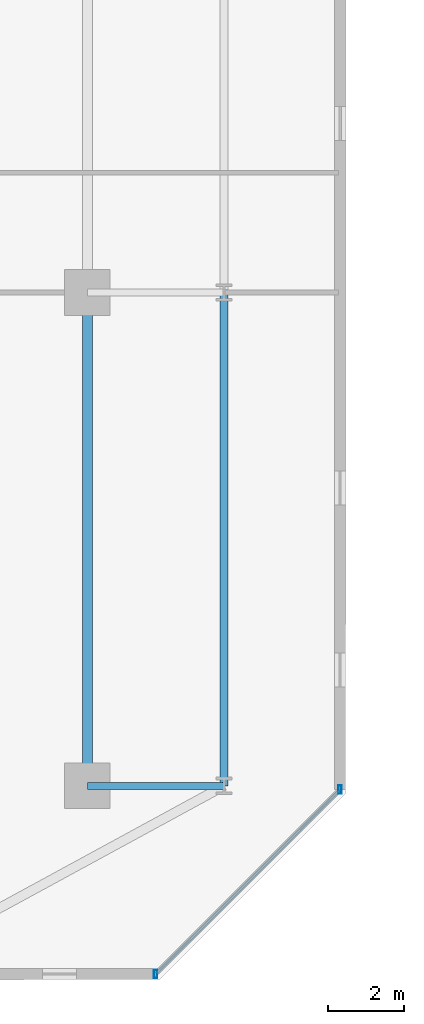
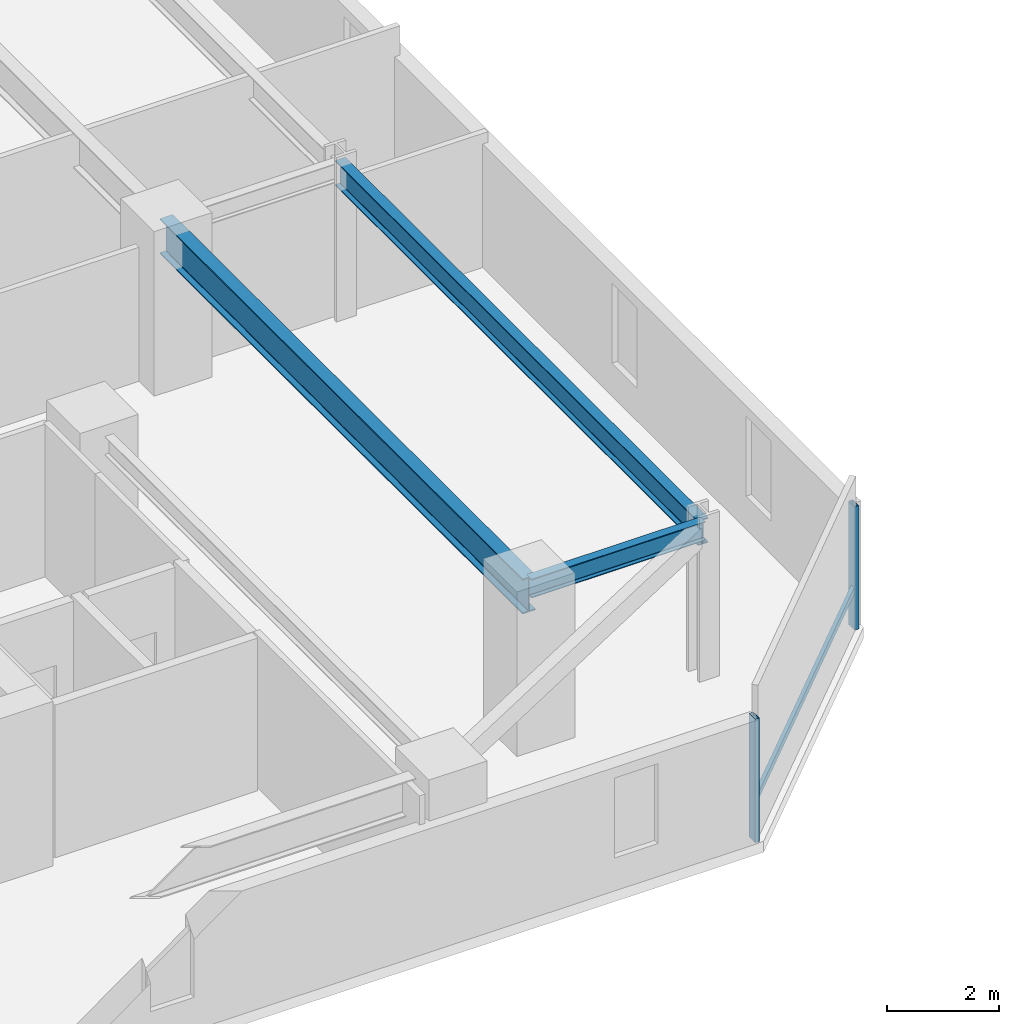
# One storey, part 5 of 31: 3 beams, 3 members, 1 element without a shape of its own.
"""IFC4 building model written with IfcOpenShell, lengths in metres."""

from ifc_helpers import new_model, si_unit, direction, frame, origin, origin_2d, place, context, subcontext, project, spatial, hollow_rectangle, i_section, extrude, material, material_profile, profile_set, type_object, element, aggregate, save


model = new_model("IFC4")

# Units and contexts
model_context = context("Model", 3, precision=1e-05, world=origin(), true_north=direction((0.0, 1.0)))
body_context = subcontext(model_context, "Body", "Model", "MODEL_VIEW")
ifc_project = project(units=[si_unit("LENGTHUNIT", "METRE"), si_unit("AREAUNIT", "SQUARE_METRE"), si_unit("VOLUMEUNIT", "CUBIC_METRE"), si_unit("PLANEANGLEUNIT", "RADIAN"), si_unit("MASSUNIT", "GRAM", prefix="KILO")], contexts=[model_context])

# Site, building, storey
site_placement = place(None, origin())
site = spatial("IfcSite", under=ifc_project, at=site_placement, CompositionType="ELEMENT")
building_placement = place(site_placement, origin())
building = spatial("IfcBuilding", under=site, at=building_placement, Name="Thornwick Lancets Civic Towers", CompositionType="ELEMENT")
storey_placement = place(building_placement, frame((0.0, 0.0, 90.89990234375)))
storey = spatial("IfcBuildingStorey", under=building, at=storey_placement, Name="L23", CompositionType="ELEMENT", Elevation=90.89990234375)

# Beams
ifc_material_1 = material(Name="Steel S355JR", Category="steel")
ifc_material_profile_1 = material_profile(ifc_material_1, i_section(OverallWidth=0.2119140625, OverallDepth=0.54443359375, WebThickness=0.0126953125, FlangeThickness=0.021240234375, FilletRadius=0.0126953125, at=origin_2d()), Name="UKB 533x210x122")
ifc_profile_set_1 = profile_set([ifc_material_profile_1], Name="Steel S355JR")
beam_type_1 = type_object("IfcBeamType", Name="BM_EDGE_533_122", PredefinedType="SPANDREL", material=ifc_profile_set_1)
beam_1_placement = place(storey_placement, frame((46.39990234375, 14.0, 3.087890625), z_axis=(0.0, 1.0, 0.0), x_axis=(-1.0, 0.0, 0.0)))
element("IfcBeam", 1, at=beam_1_placement, inside=storey, type_object=beam_type_1, Name="BM-EDGE-L23-A-S1-1", PredefinedType="SPANDREL", context=body_context, shape_type="SweptSolid", body=[
    extrude(i_section(OverallWidth=0.2119140625, OverallDepth=0.54443359375, WebThickness=0.0126953125, FlangeThickness=0.021240234375, FilletRadius=0.0126953125, at=origin_2d()), origin(), (0.0, 0.0, 1.0), 13.0),
])
ifc_material_profile_2 = material_profile(ifc_material_1, i_section(OverallWidth=0.26806640625, OverallDepth=0.769775390625, WebThickness=0.015625, FlangeThickness=0.025390625, FilletRadius=0.0166015625, at=origin_2d()), Name="UKB 762x267x197")
ifc_profile_set_2 = profile_set([ifc_material_profile_2], Name="Steel S355JR")
beam_type_2 = type_object("IfcBeamType", Name="BM_GIRD_762_197", PredefinedType="BEAM", material=ifc_profile_set_2)
beam_2_placement = place(storey_placement, frame((42.800048828125, 14.0, 2.97509765625), z_axis=(0.0, 1.0, 0.0), x_axis=(-1.0, 0.0, 0.0)))
element("IfcBeam", 2, at=beam_2_placement, inside=storey, type_object=beam_type_2, Name="BM-SPINE-L23-A-3-4", PredefinedType="BEAM", context=body_context, shape_type="SweptSolid", body=[
    extrude(i_section(OverallWidth=0.26806640625, OverallDepth=0.769775390625, WebThickness=0.015625, FlangeThickness=0.025390625, FilletRadius=0.0166015625, at=origin_2d()), origin(), (0.0, 0.0, 1.0), 13.0),
])
ifc_material_profile_3 = material_profile(ifc_material_1, i_section(OverallWidth=0.179443359375, OverallDepth=0.412841796875, WebThickness=0.009521484375, FlangeThickness=0.01611328125, FilletRadius=0.01025390625, at=origin_2d()), Name="UKB 406x178x74")
ifc_profile_set_3 = profile_set([ifc_material_profile_3], Name="Steel S355JR")
beam_type_3 = type_object("IfcBeamType", Name="BM_JOIST_406_74", PredefinedType="JOIST", material=ifc_profile_set_3)
beam_3_placement = place(storey_placement, frame((42.800048828125, 14.0, 3.15380859375), z_axis=(1.0, 0.0, 0.0), x_axis=(0.0, 1.0, 0.0)))
element("IfcBeam", 3, at=beam_3_placement, inside=storey, type_object=beam_type_3, Name="BM-RAD-L23-A04", PredefinedType="JOIST", context=body_context, shape_type="SweptSolid", body=[
    extrude(i_section(OverallWidth=0.179443359375, OverallDepth=0.412841796875, WebThickness=0.009521484375, FlangeThickness=0.01611328125, FilletRadius=0.01025390625, at=origin_2d()), origin(), (0.0, 0.0, 1.0), 3.599853515625),
])

# Curtain wall, members
ifc_material_2 = material(Name="Low-zone chamfered-corner unitised glass curtain wall", Category="glass")
curtain_wall_type = type_object("IfcCurtainWallType", Name="CW_SYS_03", PredefinedType="NOTDEFINED", material=ifc_material_2)
curtain_wall_placement = place(storey_placement, origin())
curtain_wall = element("IfcCurtainWall", 4, at=curtain_wall_placement, inside=storey, type_object=curtain_wall_type, Name="L23 Curtain Wall CW-L23-A-E1", PredefinedType="NOTDEFINED")
ifc_material_3 = material(Name="Thermally broken bronze aluminium S355", Category="steel")
ifc_material_profile_4 = material_profile(ifc_material_3, hollow_rectangle(XDim=0.090087890625, YDim=0.219970703125, WallThickness=0.00634765625, at=origin_2d()), Name="RHS 220x90x6.3")
ifc_profile_set_4 = profile_set([ifc_material_profile_4], Name="Thermally broken bronze aluminium S355")
member_type_1 = type_object("IfcMemberType", Name="CW_MUL_220", PredefinedType="MULLION", material=ifc_profile_set_4)
member_1_placement = place(storey_placement, frame((44.599365234375, 9.042724609375, 0.0), z_axis=(0.0, 0.0, 1.0), x_axis=(1.0, 0.0, 0.0)))
member_1 = element("IfcMember", 5, at=member_1_placement, type_object=member_type_1, Name="CW-L23-A-E1 Mullion 0", PredefinedType="MULLION", context=body_context, shape_type="SweptSolid", body=[
    extrude(hollow_rectangle(XDim=0.090087890625, YDim=0.219970703125, WallThickness=0.00634765625, at=origin_2d()), origin(), (0.0, 0.0, 1.0), 2.7001953125),
])
member_2_placement = place(storey_placement, frame((49.457275390625, 13.900634765625, 0.0), z_axis=(0.0, 0.0, 1.0), x_axis=(1.0, 0.0, 0.0)))
member_2 = element("IfcMember", 6, at=member_2_placement, type_object=member_type_1, Name="CW-L23-A-E1 Mullion 1", PredefinedType="MULLION", context=body_context, shape_type="SweptSolid", body=[
    extrude(hollow_rectangle(XDim=0.090087890625, YDim=0.219970703125, WallThickness=0.00634765625, at=origin_2d()), origin(), (0.0, 0.0, 1.0), 2.7001953125),
])
ifc_material_profile_5 = material_profile(ifc_material_3, hollow_rectangle(XDim=0.074951171875, YDim=0.14990234375, WallThickness=0.0048828125, at=origin_2d()), Name="RHS 150x75x5")
ifc_profile_set_5 = profile_set([ifc_material_profile_5], Name="Thermally broken bronze aluminium S355")
member_type_2 = type_object("IfcMemberType", Name="CW_TRN_150", PredefinedType="USERDEFINED", material=ifc_profile_set_5)
member_3_placement = place(storey_placement, frame((44.61328125, 9.056884765625, 0.85009765625), z_axis=(0.707106781187, 0.707106781187, 0.0), x_axis=(-0.707106781187, 0.707106781187, 0.0)))
member_3 = element("IfcMember", 7, at=member_3_placement, type_object=member_type_2, Name="CW-L23-A-E1 Transom 0", ObjectType="TRANSOM", PredefinedType="USERDEFINED", context=body_context, shape_type="SweptSolid", body=[
    extrude(hollow_rectangle(XDim=0.074951171875, YDim=0.14990234375, WallThickness=0.0048828125, at=origin_2d()), origin(), (0.0, 0.0, 1.0), 6.830322265625),
])
aggregate(curtain_wall, [member_1, member_2, member_3])

save(model, "model.ifc")
